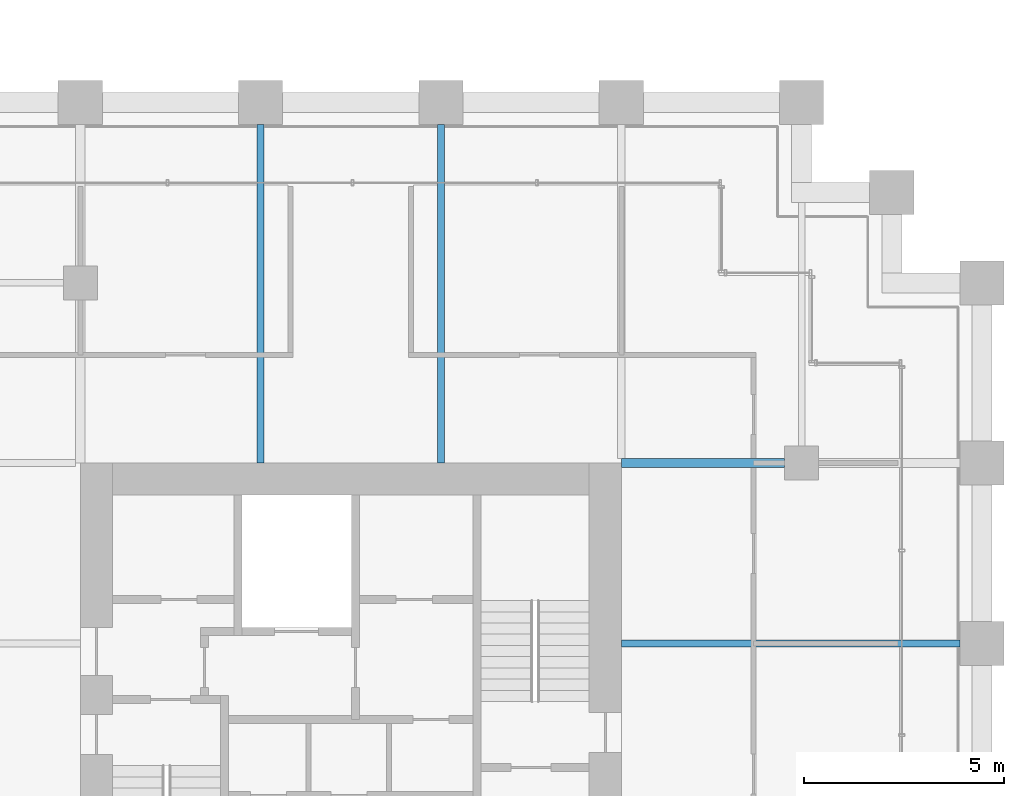
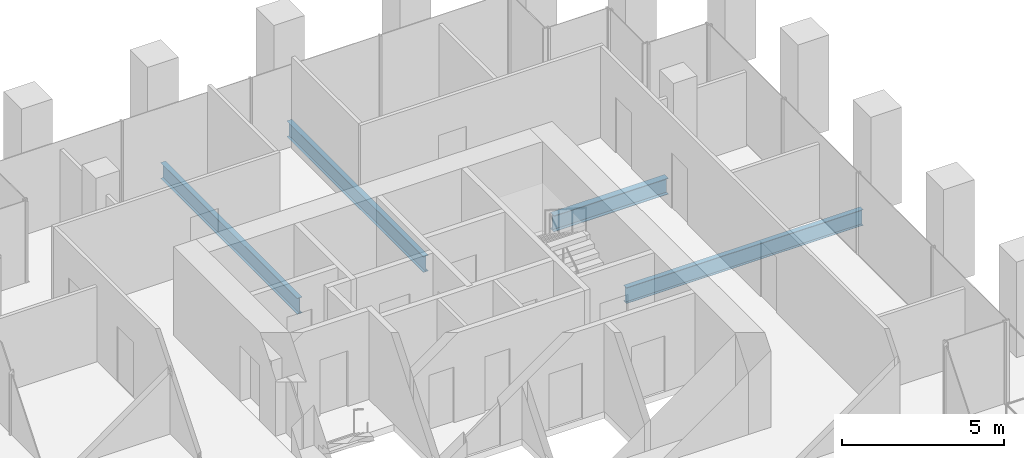
# One storey, part 43 of 56: 4 beams.
"""IFC4 building model written with IfcOpenShell, lengths in metres."""

from ifc_helpers import new_model, si_unit, direction, frame, origin, origin_2d, place, context, subcontext, project, spatial, i_section, extrude, material, material_profile, profile_set, type_object, element, save


model = new_model("IFC4")

# Units and contexts
model_context = context("Model", 3, precision=1e-05, world=origin(), true_north=direction((0.0, 1.0)))
body_context = subcontext(model_context, "Body", "Model", "MODEL_VIEW")
ifc_project = project(units=[si_unit("LENGTHUNIT", "METRE"), si_unit("AREAUNIT", "SQUARE_METRE"), si_unit("VOLUMEUNIT", "CUBIC_METRE"), si_unit("PLANEANGLEUNIT", "RADIAN"), si_unit("MASSUNIT", "GRAM", prefix="KILO")], contexts=[model_context])

# Site, building, storey
site_placement = place(None, origin())
site = spatial("IfcSite", under=ifc_project, at=site_placement, CompositionType="ELEMENT")
building_placement = place(site_placement, origin())
building = spatial("IfcBuilding", under=site, at=building_placement, Name="Altepetl Exchange Towers", CompositionType="ELEMENT")
storey_placement = place(building_placement, frame((0.0, 0.0, 54.60009765625)))
storey = spatial("IfcBuildingStorey", under=building, at=storey_placement, Name="L12", CompositionType="ELEMENT", Elevation=54.60009765625)

# Beams
ifc_material = material(Name="Steel S355", Category="steel")
ifc_material_profile_1 = material_profile(ifc_material, i_section(OverallWidth=0.177978515625, OverallDepth=0.59912109375, WebThickness=0.010009765625, FlangeThickness=0.0126953125, at=origin_2d()), Name="W24X55")
ifc_profile_set_1 = profile_set([ifc_material_profile_1], Name="Steel S355")
beam_type_1 = type_object("IfcBeamType", Name="Floor beam W24X55", PredefinedType="BEAM", material=ifc_profile_set_1)
for number, where, z_axis, x_axis, name in (
    (1, (108.0, 49.5, -0.44970703125), (0.0, 1.0, 0.0), (-1.0, 0.0, 0.0), "bm:B:L12:000"),
    (2, (112.5, 49.5, -0.44970703125), (0.0, 1.0, 0.0), (-1.0, 0.0, 0.0), "bm:B:L12:001"),
    (3, (117.0, 45.0, -0.44970703125), (1.0, 0.0, 0.0), (0.0, 1.0, 0.0), "bm:B:L12:007"),
):
    element("IfcBeam", number, at=place(storey_placement, frame(where, z_axis=z_axis, x_axis=x_axis)), inside=storey, type_object=beam_type_1, Name=name, PredefinedType="BEAM", context=body_context, shape_type="SweptSolid", body=[
        extrude(i_section(OverallWidth=0.177978515625, OverallDepth=0.59912109375, WebThickness=0.010009765625, FlangeThickness=0.0126953125, at=origin_2d()), origin(), (0.0, 0.0, 1.0), 8.449951171875),
    ])
ifc_material_profile_2 = material_profile(ifc_material, i_section(OverallWidth=0.22802734375, OverallDepth=0.60791015625, WebThickness=0.01123046875, FlangeThickness=0.017333984375, at=origin_2d()), Name="W24X76")
ifc_profile_set_2 = profile_set([ifc_material_profile_2], Name="Steel S355")
beam_type_2 = type_object("IfcBeamType", Name="Girder W24X76", PredefinedType="BEAM", material=ifc_profile_set_2)
beam_placement = place(storey_placement, frame((117.0, 49.5, -0.4541015625), z_axis=(1.0, 0.0, 0.0), x_axis=(0.0, 1.0, 0.0)))
element("IfcBeam", 4, at=beam_placement, inside=storey, type_object=beam_type_2, Name="gd:B:L12:000", PredefinedType="BEAM", context=body_context, shape_type="SweptSolid", body=[
    extrude(i_section(OverallWidth=0.22802734375, OverallDepth=0.60791015625, WebThickness=0.01123046875, FlangeThickness=0.017333984375, at=origin_2d()), origin(), (0.0, 0.0, 1.0), 4.074951171875),
])

save(model, "model.ifc")
